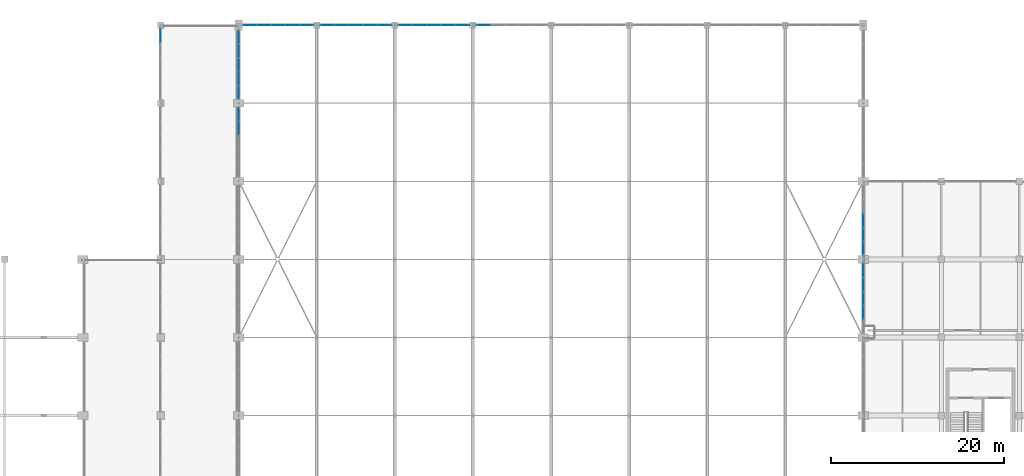
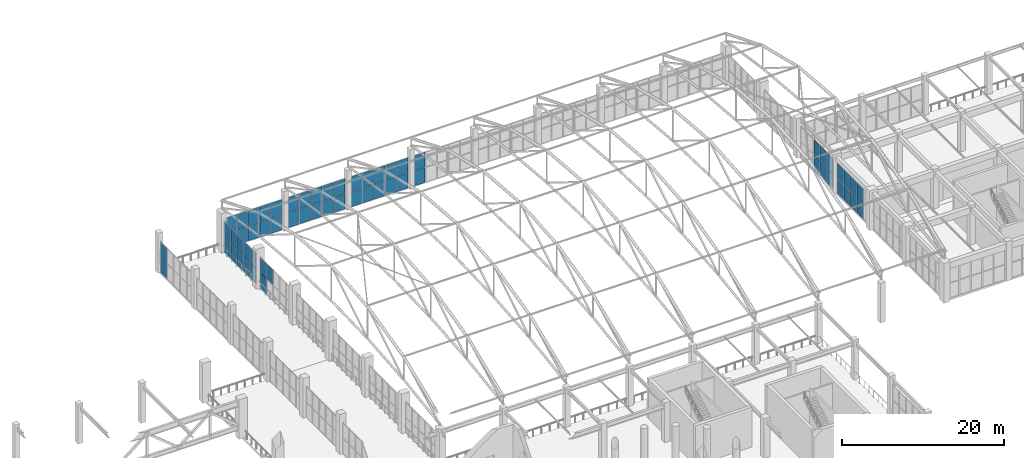
# One storey, part 179 of 223: 61 plates, 9 elements without a shape of their own.
"""IFC4 building model written with IfcOpenShell, lengths in metres."""

import ifcopenshell
import ifcopenshell.guid

model = None  # the IFC model being written
_history = None  # IfcOwnerHistory: only IFC2X3 demands one
_inside = {}  # id of a spatial element -> (the spatial element, [elements in it])
_under = {}  # id of a project, library or spatial element -> (it, [spatial elements below it])
_declared = {}  # id of a project -> (the project, [libraries it declares])
_typed = {}  # id of a type object -> (the type object, [elements of that type])
_made_of = {}  # id of a material, layer set ... -> (it, [elements and type objects made of it])


def new_model(schema):
    """Start an empty IFC model of exactly this schema.

    Asked for "IFC4X3", IfcOpenShell would pick the latest addendum, in which some entities
    have other attributes; the version numbers below select the first issue.
    IFC2X3 requires an IfcOwnerHistory on every rooted entity: one is made here for all.
    """
    global model, _history
    if schema == "IFC4X3":
        model = ifcopenshell.file(schema_version=(4, 3, 0, 0))
    else:
        model = ifcopenshell.file(schema=schema)
    _inside.clear()
    _under.clear()
    _declared.clear()
    _typed.clear()
    _made_of.clear()
    _history = None
    if model.schema == "IFC2X3":
        org = make("IfcOrganization", Name="unknown")
        user = make(
            "IfcPersonAndOrganization",
            ThePerson=make("IfcPerson", FamilyName="unknown"),
            TheOrganization=org,
        )
        app = make(
            "IfcApplication",
            ApplicationDeveloper=org,
            Version="unknown",
            ApplicationFullName="unknown",
            ApplicationIdentifier="unknown",
        )
        _history = make(
            "IfcOwnerHistory",
            OwningUser=user,
            OwningApplication=app,
            ChangeAction="ADDED",
            CreationDate=0,
        )
    return model


def make(cls, **values):
    """One entity of the class cls with the attributes given. An attribute that is None is left unset."""
    return model.create_entity(
        cls, **{name: value for name, value in values.items() if value is not None}
    )


def rooted(cls, **values):
    """An entity with a GlobalId (a new one), such as an element, a storey or a relation."""
    return make(cls, GlobalId=ifcopenshell.guid.new(), OwnerHistory=_history, **values)


def si_unit(unit_type, name, prefix=None):
    """IfcSIUnit, for example si_unit("LENGTHUNIT", "METRE", prefix="MILLI")."""
    return make("IfcSIUnit", UnitType=unit_type, Prefix=prefix, Name=name)


def assignment(units):
    """IfcUnitAssignment: the units of a project."""
    return None if units is None else make("IfcUnitAssignment", Units=units)


def point(xyz):
    """IfcCartesianPoint."""
    return None if xyz is None else make("IfcCartesianPoint", Coordinates=xyz)


def direction(xyz):
    """IfcDirection."""
    return None if xyz is None else make("IfcDirection", DirectionRatios=xyz)


def frame(location, z_axis=None, x_axis=None):
    """IfcAxis2Placement3D, a coordinate frame: its origin and axes. An axis left out is left unset."""
    return make(
        "IfcAxis2Placement3D",
        Location=point(location),
        Axis=direction(z_axis),
        RefDirection=direction(x_axis),
    )


def frame_2d(location, x_axis=None):
    """IfcAxis2Placement2D, a coordinate frame in the plane: its origin and x axis."""
    return make(
        "IfcAxis2Placement2D", Location=point(location), RefDirection=direction(x_axis)
    )


def origin():
    """The frame at (0, 0, 0) with its axes left unset."""
    return frame((0.0, 0.0, 0.0))


def origin_2d():
    """The frame at (0, 0) in the plane with its x axis left unset."""
    return frame_2d((0.0, 0.0))


def place(relative_to, where):
    """IfcLocalPlacement: puts the frame where relative to a parent placement (None: the world)."""
    return make(
        "IfcLocalPlacement", PlacementRelTo=relative_to, RelativePlacement=where
    )


def context(
    kind, dimensions, precision=None, world=None, true_north=None, identifier=None
):
    """IfcGeometricRepresentationContext, for example the 3D "Model" context."""
    return make(
        "IfcGeometricRepresentationContext",
        ContextIdentifier=identifier,
        ContextType=kind,
        CoordinateSpaceDimension=dimensions,
        Precision=precision,
        WorldCoordinateSystem=world,
        TrueNorth=true_north,
    )


def subcontext(parent, identifier, kind, view, scale=None):
    """IfcGeometricRepresentationSubContext, for example "Body" below "Model"."""
    return make(
        "IfcGeometricRepresentationSubContext",
        ContextIdentifier=identifier,
        ContextType=kind,
        ParentContext=parent,
        TargetScale=scale,
        TargetView=view,
    )


def project(units=None, contexts=None):
    """IfcProject with its units and contexts."""
    return rooted(
        "IfcProject",
        Name="project",
        RepresentationContexts=contexts,
        UnitsInContext=assignment(units),
    )


def spatial(cls, under=None, at=None, **own):
    """A site, building, storey or space (cls), placed at a placement, below another one or the project."""
    s = rooted(cls, ObjectPlacement=at, **own)
    if under is not None:
        _under.setdefault(under.id(), (under, []))[1].append(s)
    return s


def profile(cls, at=None, kind="AREA", **sizes):
    """A parametric profile (cls). Its sizes go by their IFC names, for example OverallWidth=200.0."""
    return make(cls, ProfileType=kind, Position=at, **sizes)


def rectangle(**sizes):
    """IfcRectangleProfileDef."""
    return profile("IfcRectangleProfileDef", **sizes)


def extrude(swept, where, along, depth):
    """IfcExtrudedAreaSolid: the profile swept, set in the frame where, extruded along a direction by depth."""
    return make(
        "IfcExtrudedAreaSolid",
        SweptArea=swept,
        Position=where,
        ExtrudedDirection=direction(along),
        Depth=depth,
    )


def shape(context_of_items, identifier, shape_type, items):
    """IfcShapeRepresentation: the items that make up one representation, for example the "Body"."""
    return make(
        "IfcShapeRepresentation",
        ContextOfItems=context_of_items,
        RepresentationIdentifier=identifier,
        RepresentationType=shape_type,
        Items=items,
    )


def material(Name=None, Category=None):
    """IfcMaterial."""
    return make("IfcMaterial", Name=Name, Category=Category)


def layer(
    of_material, thickness, ventilated=None, Name=None, Category=None, Priority=None
):
    """IfcMaterialLayer: one layer of a wall or slab, of a material (None: an air gap)."""
    return make(
        "IfcMaterialLayer",
        Material=of_material,
        LayerThickness=thickness,
        IsVentilated=ventilated,
        Name=Name,
        Category=Category,
        Priority=Priority,
    )


def layer_set(layers, Name=None):
    """IfcMaterialLayerSet."""
    return make("IfcMaterialLayerSet", MaterialLayers=layers, LayerSetName=Name)


def made_of(thing, what):
    """Note that an element or type object is made of a material, layer set ...; save() writes the relation."""
    if what is not None:
        _made_of.setdefault(what.id(), (what, []))[1].append(thing)
    return thing


def type_object(cls, material=None, **own):
    """A type object (cls), such as IfcWallType, which elements share."""
    return made_of(rooted(cls, **own), material)


def element(
    cls,
    number,
    at=None,
    inside=None,
    cuts=None,
    type_object=None,
    material=None,
    context=None,
    identifier="Body",
    shape_type=None,
    held_by="IfcProductDefinitionShape",
    body=None,
    shapes=None,
    **own,
):
    """One element of the class cls, such as IfcWall. Its Tag is "e" and its number.

    at: its placement. inside: the storey or other place that contains it. cuts: it is an
    opening in that element (IfcRelVoidsElement). A single representation is given by context,
    identifier, shape_type and body (its items); several are given by shapes. held_by: the class
    of the entity that holds the representations. save() writes the other relations.
    """
    e = rooted(cls, Tag="e%d" % number, ObjectPlacement=at, **own)
    if body is not None:
        shapes = [shape(context, identifier, shape_type, body)]
    if shapes is not None:
        e.Representation = make(held_by, Representations=shapes)
    if inside is not None:
        _inside.setdefault(inside.id(), (inside, []))[1].append(e)
    if cuts is not None:
        rooted(
            "IfcRelVoidsElement", RelatingBuildingElement=cuts, RelatedOpeningElement=e
        )
    if type_object is not None:
        _typed.setdefault(type_object.id(), (type_object, []))[1].append(e)
    return made_of(e, material)


def aggregate(whole, parts):
    """IfcRelAggregates: a whole, such as a stair, and the parts it consists of."""
    return rooted("IfcRelAggregates", RelatingObject=whole, RelatedObjects=parts)


def save(model, path):
    """Write the relations noted so far, then the file.

    IfcRelAggregates (storeys below a building ...), IfcRelContainedInSpatialStructure (elements
    in a storey), IfcRelDefinesByType, IfcRelAssociatesMaterial and IfcRelDeclares: one each for
    every whole, place, type object, material and project.
    """
    for whole, parts in _under.values():
        aggregate(whole, parts)
    for where, things in _inside.values():
        rooted(
            "IfcRelContainedInSpatialStructure",
            RelatedElements=things,
            RelatingStructure=where,
        )
    for kind, things in _typed.values():
        rooted("IfcRelDefinesByType", RelatedObjects=things, RelatingType=kind)
    for what, things in _made_of.values():
        rooted("IfcRelAssociatesMaterial", RelatedObjects=things, RelatingMaterial=what)
    for by, libraries in _declared.values():
        rooted("IfcRelDeclares", RelatingContext=by, RelatedDefinitions=libraries)
    model.write(path)


model = new_model("IFC4")

# Units and contexts
model_context = context("Model", 3, precision=1e-05, world=origin(), true_north=direction((0.0, 1.0)))
body_context = subcontext(model_context, "Body", "Model", "MODEL_VIEW")
ifc_project = project(units=[si_unit("LENGTHUNIT", "METRE"), si_unit("AREAUNIT", "SQUARE_METRE"), si_unit("VOLUMEUNIT", "CUBIC_METRE"), si_unit("PLANEANGLEUNIT", "RADIAN"), si_unit("MASSUNIT", "GRAM", prefix="KILO")], contexts=[model_context])

# Site, building, storey
site_placement = place(None, origin())
site = spatial("IfcSite", under=ifc_project, at=site_placement, CompositionType="ELEMENT")
building_placement = place(site_placement, origin())
building = spatial("IfcBuilding", under=site, at=building_placement, Name="Dornveld Trade and Exhibition Forum", CompositionType="ELEMENT")
storey_placement = place(building_placement, frame((0.0, 0.0, 6.0)))
storey = spatial("IfcBuildingStorey", under=building, at=storey_placement, Name="L01", CompositionType="ELEMENT", Elevation=6.0)

# Curtain wall, plates
ifc_material_1 = material(Name="Dark-bronze anodised aluminium and low-E glass", Category="aluminium")
ifc_layer_1 = layer(ifc_material_1, 0.196044921875)
ifc_layer_set_1 = layer_set([ifc_layer_1], Name="Dark-bronze anodised aluminium and low-E glass")
curtain_wall_type_1 = type_object("IfcCurtainWallType", Name="CW-SYS-18", PredefinedType="USERDEFINED", material=ifc_layer_set_1)
curtain_wall_1_placement = place(storey_placement, origin())
curtain_wall_1 = element("IfcCurtainWall", 1, at=curtain_wall_1_placement, inside=storey, type_object=curtain_wall_type_1, Name="L01 unitised curtain wall 18", ObjectType="UNITISED_CURTAIN_WALL", PredefinedType="USERDEFINED")
ifc_material_2 = material(Name="Double-glazed low-E solar control glass", Category="glass")
ifc_layer_2 = layer(ifc_material_2, 0.028076171875)
ifc_layer_set_2 = layer_set([ifc_layer_2], Name="Double-glazed low-E solar control glass")
plate_type_1 = type_object("IfcPlateType", Name="CW-PNL-02", PredefinedType="CURTAIN_PANEL", material=ifc_layer_set_2)
plate_1_placement = place(storey_placement, frame((99.0, 160.59326171875, 0.05615234375), z_axis=(0.0, 0.0, 1.0), x_axis=(0.0, -1.0, 0.0)))
plate_1 = element("IfcPlate", 2, at=plate_1_placement, type_object=plate_type_1, Name="CW-18 panel 1.1", PredefinedType="CURTAIN_PANEL", context=body_context, shape_type="SweptSolid", body=[
    extrude(rectangle(XDim=1.501708984375, YDim=0.028076171875, at=origin_2d()), origin(), (0.0, 0.0, 1.0), 2.261962890625),
])
plate_2_placement = place(storey_placement, frame((99.0, 160.59326171875, 2.3779296875), z_axis=(0.0, 0.0, 1.0), x_axis=(0.0, -1.0, 0.0)))
plate_2 = element("IfcPlate", 3, at=plate_2_placement, type_object=plate_type_1, Name="CW-18 panel 1.2", PredefinedType="CURTAIN_PANEL", context=body_context, shape_type="SweptSolid", body=[
    extrude(rectangle(XDim=1.501708984375, YDim=0.028076171875, at=origin_2d()), origin(), (0.0, 0.0, 1.0), 2.261962890625),
])
plate_3_placement = place(storey_placement, frame((99.0, 159.0166015625, 0.05615234375), z_axis=(0.0, 0.0, 1.0), x_axis=(0.0, -1.0, 0.0)))
plate_3 = element("IfcPlate", 4, at=plate_3_placement, type_object=plate_type_1, Name="CW-18 panel 2.1", PredefinedType="CURTAIN_PANEL", context=body_context, shape_type="SweptSolid", body=[
    extrude(rectangle(XDim=1.531494140625, YDim=0.028076171875, at=origin_2d()), origin(), (0.0, 0.0, 1.0), 2.261962890625),
])
plate_4_placement = place(storey_placement, frame((99.0, 159.0166015625, 2.3779296875), z_axis=(0.0, 0.0, 1.0), x_axis=(0.0, -1.0, 0.0)))
plate_4 = element("IfcPlate", 5, at=plate_4_placement, type_object=plate_type_1, Name="CW-18 panel 2.2", PredefinedType="CURTAIN_PANEL", context=body_context, shape_type="SweptSolid", body=[
    extrude(rectangle(XDim=1.531494140625, YDim=0.028076171875, at=origin_2d()), origin(), (0.0, 0.0, 1.0), 2.261962890625),
])
plate_5_placement = place(storey_placement, frame((99.0, 157.425048828125, 0.05615234375), z_axis=(0.0, 0.0, 1.0), x_axis=(0.0, -1.0, 0.0)))
plate_5 = element("IfcPlate", 6, at=plate_5_placement, type_object=plate_type_1, Name="CW-18 panel 3.1", PredefinedType="CURTAIN_PANEL", context=body_context, shape_type="SweptSolid", body=[
    extrude(rectangle(XDim=1.531494140625, YDim=0.028076171875, at=origin_2d()), origin(), (0.0, 0.0, 1.0), 2.261962890625),
])
plate_6_placement = place(storey_placement, frame((99.0, 157.425048828125, 2.3779296875), z_axis=(0.0, 0.0, 1.0), x_axis=(0.0, -1.0, 0.0)))
plate_6 = element("IfcPlate", 7, at=plate_6_placement, type_object=plate_type_1, Name="CW-18 panel 3.2", PredefinedType="CURTAIN_PANEL", context=body_context, shape_type="SweptSolid", body=[
    extrude(rectangle(XDim=1.531494140625, YDim=0.028076171875, at=origin_2d()), origin(), (0.0, 0.0, 1.0), 2.261962890625),
])
plate_7_placement = place(storey_placement, frame((99.0, 155.83349609375, 0.05615234375), z_axis=(0.0, 0.0, 1.0), x_axis=(0.0, -1.0, 0.0)))
plate_7 = element("IfcPlate", 8, at=plate_7_placement, type_object=plate_type_1, Name="CW-18 panel 4.1", PredefinedType="CURTAIN_PANEL", context=body_context, shape_type="SweptSolid", body=[
    extrude(rectangle(XDim=1.531494140625, YDim=0.028076171875, at=origin_2d()), origin(), (0.0, 0.0, 1.0), 2.261962890625),
])
plate_8_placement = place(storey_placement, frame((99.0, 155.83349609375, 2.3779296875), z_axis=(0.0, 0.0, 1.0), x_axis=(0.0, -1.0, 0.0)))
plate_8 = element("IfcPlate", 9, at=plate_8_placement, type_object=plate_type_1, Name="CW-18 panel 4.2", PredefinedType="CURTAIN_PANEL", context=body_context, shape_type="SweptSolid", body=[
    extrude(rectangle(XDim=1.531494140625, YDim=0.028076171875, at=origin_2d()), origin(), (0.0, 0.0, 1.0), 2.261962890625),
])
plate_9_placement = place(storey_placement, frame((99.0, 154.2568359375, 0.05615234375), z_axis=(0.0, 0.0, 1.0), x_axis=(0.0, -1.0, 0.0)))
plate_9 = element("IfcPlate", 10, at=plate_9_placement, type_object=plate_type_1, Name="CW-18 panel 5.1", PredefinedType="CURTAIN_PANEL", context=body_context, shape_type="SweptSolid", body=[
    extrude(rectangle(XDim=1.501708984375, YDim=0.028076171875, at=origin_2d()), origin(), (0.0, 0.0, 1.0), 2.261962890625),
])
plate_10_placement = place(storey_placement, frame((99.0, 154.2568359375, 2.3779296875), z_axis=(0.0, 0.0, 1.0), x_axis=(0.0, -1.0, 0.0)))
plate_10 = element("IfcPlate", 11, at=plate_10_placement, type_object=plate_type_1, Name="CW-18 panel 5.2", PredefinedType="CURTAIN_PANEL", context=body_context, shape_type="SweptSolid", body=[
    extrude(rectangle(XDim=1.501708984375, YDim=0.028076171875, at=origin_2d()), origin(), (0.0, 0.0, 1.0), 2.261962890625),
])
aggregate(curtain_wall_1, [plate_1, plate_2, plate_3, plate_4, plate_5, plate_6, plate_7, plate_8, plate_9, plate_10])

ifc_material_3 = material(Name="Dark-bronze anodised aluminium and low-E glass", Category="aluminium")
ifc_layer_3 = layer(ifc_material_3, 0.177978515625)
ifc_layer_set_3 = layer_set([ifc_layer_3], Name="Dark-bronze anodised aluminium and low-E glass")
curtain_wall_type_2 = type_object("IfcCurtainWallType", Name="CW-SYS-12", PredefinedType="USERDEFINED", material=ifc_layer_set_3)
curtain_wall_2_placement = place(storey_placement, origin())
curtain_wall_2 = element("IfcCurtainWall", 12, at=curtain_wall_2_placement, inside=storey, type_object=curtain_wall_type_2, Name="L01 unitised curtain wall 138", ObjectType="UNITISED_CURTAIN_WALL", PredefinedType="USERDEFINED")
plate_11_placement = place(storey_placement, frame((106.795654296875, 162.0, 0.05615234375), z_axis=(0.0, 0.0, 1.0), x_axis=(-1.0, 0.0, 0.0)))
plate_11 = element("IfcPlate", 13, at=plate_11_placement, type_object=plate_type_1, Name="CW-12 panel 1.1", PredefinedType="CURTAIN_PANEL", context=body_context, shape_type="SweptSolid", body=[
    extrude(rectangle(XDim=1.546630859375, YDim=0.028076171875, at=origin_2d()), origin(), (0.0, 0.0, 1.0), 2.261962890625),
])
plate_12_placement = place(storey_placement, frame((106.795654296875, 162.0, 2.3779296875), z_axis=(0.0, 0.0, 1.0), x_axis=(-1.0, 0.0, 0.0)))
plate_12 = element("IfcPlate", 14, at=plate_12_placement, type_object=plate_type_1, Name="CW-12 panel 1.2", PredefinedType="CURTAIN_PANEL", context=body_context, shape_type="SweptSolid", body=[
    extrude(rectangle(XDim=1.546630859375, YDim=0.028076171875, at=origin_2d()), origin(), (0.0, 0.0, 1.0), 2.261962890625),
])
plate_13_placement = place(storey_placement, frame((105.174072265625, 162.0, 0.05615234375), z_axis=(0.0, 0.0, 1.0), x_axis=(-1.0, 0.0, 0.0)))
plate_13 = element("IfcPlate", 15, at=plate_13_placement, type_object=plate_type_1, Name="CW-12 panel 2.1", PredefinedType="CURTAIN_PANEL", context=body_context, shape_type="SweptSolid", body=[
    extrude(rectangle(XDim=1.57666015625, YDim=0.028076171875, at=origin_2d()), origin(), (0.0, 0.0, 1.0), 2.261962890625),
])
plate_14_placement = place(storey_placement, frame((105.174072265625, 162.0, 2.3779296875), z_axis=(0.0, 0.0, 1.0), x_axis=(-1.0, 0.0, 0.0)))
plate_14 = element("IfcPlate", 16, at=plate_14_placement, type_object=plate_type_1, Name="CW-12 panel 2.2", PredefinedType="CURTAIN_PANEL", context=body_context, shape_type="SweptSolid", body=[
    extrude(rectangle(XDim=1.57666015625, YDim=0.028076171875, at=origin_2d()), origin(), (0.0, 0.0, 1.0), 2.261962890625),
])
plate_15_placement = place(storey_placement, frame((103.53759765625, 162.0, 0.05615234375), z_axis=(0.0, 0.0, 1.0), x_axis=(-1.0, 0.0, 0.0)))
plate_15 = element("IfcPlate", 17, at=plate_15_placement, type_object=plate_type_1, Name="CW-12 panel 3.1", PredefinedType="CURTAIN_PANEL", context=body_context, shape_type="SweptSolid", body=[
    extrude(rectangle(XDim=1.57666015625, YDim=0.028076171875, at=origin_2d()), origin(), (0.0, 0.0, 1.0), 2.261962890625),
])
plate_16_placement = place(storey_placement, frame((103.53759765625, 162.0, 2.3779296875), z_axis=(0.0, 0.0, 1.0), x_axis=(-1.0, 0.0, 0.0)))
plate_16 = element("IfcPlate", 18, at=plate_16_placement, type_object=plate_type_1, Name="CW-12 panel 3.2", PredefinedType="CURTAIN_PANEL", context=body_context, shape_type="SweptSolid", body=[
    extrude(rectangle(XDim=1.57666015625, YDim=0.028076171875, at=origin_2d()), origin(), (0.0, 0.0, 1.0), 2.261962890625),
])
plate_17_placement = place(storey_placement, frame((101.90087890625, 162.0, 0.05615234375), z_axis=(0.0, 0.0, 1.0), x_axis=(-1.0, 0.0, 0.0)))
plate_17 = element("IfcPlate", 19, at=plate_17_placement, type_object=plate_type_1, Name="CW-12 panel 4.1", PredefinedType="CURTAIN_PANEL", context=body_context, shape_type="SweptSolid", body=[
    extrude(rectangle(XDim=1.57666015625, YDim=0.028076171875, at=origin_2d()), origin(), (0.0, 0.0, 1.0), 2.261962890625),
])
plate_18_placement = place(storey_placement, frame((101.90087890625, 162.0, 2.3779296875), z_axis=(0.0, 0.0, 1.0), x_axis=(-1.0, 0.0, 0.0)))
plate_18 = element("IfcPlate", 20, at=plate_18_placement, type_object=plate_type_1, Name="CW-12 panel 4.2", PredefinedType="CURTAIN_PANEL", context=body_context, shape_type="SweptSolid", body=[
    extrude(rectangle(XDim=1.57666015625, YDim=0.028076171875, at=origin_2d()), origin(), (0.0, 0.0, 1.0), 2.261962890625),
])
plate_19_placement = place(storey_placement, frame((100.279296875, 162.0, 0.05615234375), z_axis=(0.0, 0.0, 1.0), x_axis=(-1.0, 0.0, 0.0)))
plate_19 = element("IfcPlate", 21, at=plate_19_placement, type_object=plate_type_1, Name="CW-12 panel 5.1", PredefinedType="CURTAIN_PANEL", context=body_context, shape_type="SweptSolid", body=[
    extrude(rectangle(XDim=1.546630859375, YDim=0.028076171875, at=origin_2d()), origin(), (0.0, 0.0, 1.0), 2.261962890625),
])
plate_20_placement = place(storey_placement, frame((100.279296875, 162.0, 2.3779296875), z_axis=(0.0, 0.0, 1.0), x_axis=(-1.0, 0.0, 0.0)))
plate_20 = element("IfcPlate", 22, at=plate_20_placement, type_object=plate_type_1, Name="CW-12 panel 5.2", PredefinedType="CURTAIN_PANEL", context=body_context, shape_type="SweptSolid", body=[
    extrude(rectangle(XDim=1.546630859375, YDim=0.028076171875, at=origin_2d()), origin(), (0.0, 0.0, 1.0), 2.261962890625),
])
aggregate(curtain_wall_2, [plate_11, plate_12, plate_13, plate_14, plate_15, plate_16, plate_17, plate_18, plate_19, plate_20])

ifc_material_4 = material(Name="Dark-bronze anodised aluminium and low-E glass", Category="aluminium")
ifc_layer_4 = layer(ifc_material_4, 0.175048828125)
ifc_layer_set_4 = layer_set([ifc_layer_4], Name="Dark-bronze anodised aluminium and low-E glass")
curtain_wall_type_3 = type_object("IfcCurtainWallType", Name="CW-SYS-11", PredefinedType="USERDEFINED", material=ifc_layer_set_4)
curtain_wall_3_placement = place(storey_placement, origin())
curtain_wall_3 = element("IfcCurtainWall", 23, at=curtain_wall_3_placement, inside=storey, type_object=curtain_wall_type_3, Name="L01 unitised curtain wall 11", ObjectType="UNITISED_CURTAIN_WALL", PredefinedType="USERDEFINED")
ifc_material_5 = material(Name="Double-glazed low-E solar control glass", Category="glass")
ifc_layer_5 = layer(ifc_material_5, 0.030029296875)
ifc_layer_set_5 = layer_set([ifc_layer_5], Name="Double-glazed low-E solar control glass")
plate_type_2 = type_object("IfcPlateType", Name="CW-PNL-03", PredefinedType="CURTAIN_PANEL", material=ifc_layer_set_5)
plate_21_placement = place(storey_placement, frame((171.0, 128.87841796875, 0.05615234375), z_axis=(0.0, 0.0, 1.0), x_axis=(0.0, 1.0, 0.0)))
plate_21 = element("IfcPlate", 24, at=plate_21_placement, type_object=plate_type_2, Name="CW-11 panel 2.1", PredefinedType="CURTAIN_PANEL", context=body_context, shape_type="SweptSolid", body=[
    extrude(rectangle(XDim=1.5615234375, YDim=0.030029296875, at=origin_2d()), origin(), (0.0, 0.0, 1.0), 2.261962890625),
])
plate_22_placement = place(storey_placement, frame((171.0, 128.87841796875, 2.3779296875), z_axis=(0.0, 0.0, 1.0), x_axis=(0.0, 1.0, 0.0)))
plate_22 = element("IfcPlate", 25, at=plate_22_placement, type_object=plate_type_2, Name="CW-11 panel 2.2", PredefinedType="CURTAIN_PANEL", context=body_context, shape_type="SweptSolid", body=[
    extrude(rectangle(XDim=1.5615234375, YDim=0.030029296875, at=origin_2d()), origin(), (0.0, 0.0, 1.0), 2.261962890625),
])
plate_23_placement = place(storey_placement, frame((171.0, 130.5, 0.05615234375), z_axis=(0.0, 0.0, 1.0), x_axis=(0.0, 1.0, 0.0)))
plate_23 = element("IfcPlate", 26, at=plate_23_placement, type_object=plate_type_2, Name="CW-11 panel 3.1", PredefinedType="CURTAIN_PANEL", context=body_context, shape_type="SweptSolid", body=[
    extrude(rectangle(XDim=1.5615234375, YDim=0.030029296875, at=origin_2d()), origin(), (0.0, 0.0, 1.0), 2.261962890625),
])
plate_24_placement = place(storey_placement, frame((171.0, 130.5, 2.3779296875), z_axis=(0.0, 0.0, 1.0), x_axis=(0.0, 1.0, 0.0)))
plate_24 = element("IfcPlate", 27, at=plate_24_placement, type_object=plate_type_2, Name="CW-11 panel 3.2", PredefinedType="CURTAIN_PANEL", context=body_context, shape_type="SweptSolid", body=[
    extrude(rectangle(XDim=1.5615234375, YDim=0.030029296875, at=origin_2d()), origin(), (0.0, 0.0, 1.0), 2.261962890625),
])
plate_25_placement = place(storey_placement, frame((171.0, 132.12158203125, 0.05615234375), z_axis=(0.0, 0.0, 1.0), x_axis=(0.0, 1.0, 0.0)))
plate_25 = element("IfcPlate", 28, at=plate_25_placement, type_object=plate_type_2, Name="CW-11 panel 4.1", PredefinedType="CURTAIN_PANEL", context=body_context, shape_type="SweptSolid", body=[
    extrude(rectangle(XDim=1.5615234375, YDim=0.030029296875, at=origin_2d()), origin(), (0.0, 0.0, 1.0), 2.261962890625),
])
plate_26_placement = place(storey_placement, frame((171.0, 132.12158203125, 2.3779296875), z_axis=(0.0, 0.0, 1.0), x_axis=(0.0, 1.0, 0.0)))
plate_26 = element("IfcPlate", 29, at=plate_26_placement, type_object=plate_type_2, Name="CW-11 panel 4.2", PredefinedType="CURTAIN_PANEL", context=body_context, shape_type="SweptSolid", body=[
    extrude(rectangle(XDim=1.5615234375, YDim=0.030029296875, at=origin_2d()), origin(), (0.0, 0.0, 1.0), 2.261962890625),
])
plate_27_placement = place(storey_placement, frame((171.0, 133.728271484375, 0.05615234375), z_axis=(0.0, 0.0, 1.0), x_axis=(0.0, 1.0, 0.0)))
plate_27 = element("IfcPlate", 30, at=plate_27_placement, type_object=plate_type_2, Name="CW-11 panel 5.1", PredefinedType="CURTAIN_PANEL", context=body_context, shape_type="SweptSolid", body=[
    extrude(rectangle(XDim=1.531494140625, YDim=0.030029296875, at=origin_2d()), origin(), (0.0, 0.0, 1.0), 2.261962890625),
])
plate_28_placement = place(storey_placement, frame((171.0, 133.728271484375, 2.3779296875), z_axis=(0.0, 0.0, 1.0), x_axis=(0.0, 1.0, 0.0)))
plate_28 = element("IfcPlate", 31, at=plate_28_placement, type_object=plate_type_2, Name="CW-11 panel 5.2", PredefinedType="CURTAIN_PANEL", context=body_context, shape_type="SweptSolid", body=[
    extrude(rectangle(XDim=1.531494140625, YDim=0.030029296875, at=origin_2d()), origin(), (0.0, 0.0, 1.0), 2.261962890625),
])
aggregate(curtain_wall_3, [plate_21, plate_22, plate_23, plate_24, plate_25, plate_26, plate_27, plate_28])

ifc_material_6 = material(Name="Dark-bronze anodised aluminium and low-E glass", Category="aluminium")
ifc_layer_6 = layer(ifc_material_6, 0.180908203125)
ifc_layer_set_6 = layer_set([ifc_layer_6], Name="Dark-bronze anodised aluminium and low-E glass")
curtain_wall_type_4 = type_object("IfcCurtainWallType", Name="CW-SYS-13", PredefinedType="USERDEFINED", material=ifc_layer_set_6)
curtain_wall_4_placement = place(storey_placement, origin())
curtain_wall_4 = element("IfcCurtainWall", 32, at=curtain_wall_4_placement, inside=storey, type_object=curtain_wall_type_4, Name="L01 unitised curtain wall 139", ObjectType="UNITISED_CURTAIN_WALL", PredefinedType="USERDEFINED")
plate_29_placement = place(storey_placement, frame((115.7880859375, 162.0, 0.05615234375), z_axis=(0.0, 0.0, 1.0), x_axis=(-1.0, 0.0, 0.0)))
plate_29 = element("IfcPlate", 33, at=plate_29_placement, type_object=plate_type_2, Name="CW-13 panel 1.1", PredefinedType="CURTAIN_PANEL", context=body_context, shape_type="SweptSolid", body=[
    extrude(rectangle(XDim=1.5615234375, YDim=0.030029296875, at=origin_2d()), origin(), (0.0, 0.0, 1.0), 2.261962890625),
])
plate_30_placement = place(storey_placement, frame((115.7880859375, 162.0, 2.3779296875), z_axis=(0.0, 0.0, 1.0), x_axis=(-1.0, 0.0, 0.0)))
plate_30 = element("IfcPlate", 34, at=plate_30_placement, type_object=plate_type_2, Name="CW-13 panel 1.2", PredefinedType="CURTAIN_PANEL", context=body_context, shape_type="SweptSolid", body=[
    extrude(rectangle(XDim=1.5615234375, YDim=0.030029296875, at=origin_2d()), origin(), (0.0, 0.0, 1.0), 2.261962890625),
])
plate_31_placement = place(storey_placement, frame((114.151611328125, 162.0, 0.05615234375), z_axis=(0.0, 0.0, 1.0), x_axis=(-1.0, 0.0, 0.0)))
plate_31 = element("IfcPlate", 35, at=plate_31_placement, type_object=plate_type_2, Name="CW-13 panel 2.1", PredefinedType="CURTAIN_PANEL", context=body_context, shape_type="SweptSolid", body=[
    extrude(rectangle(XDim=1.591552734375, YDim=0.030029296875, at=origin_2d()), origin(), (0.0, 0.0, 1.0), 2.261962890625),
])
plate_32_placement = place(storey_placement, frame((114.151611328125, 162.0, 2.3779296875), z_axis=(0.0, 0.0, 1.0), x_axis=(-1.0, 0.0, 0.0)))
plate_32 = element("IfcPlate", 36, at=plate_32_placement, type_object=plate_type_2, Name="CW-13 panel 2.2", PredefinedType="CURTAIN_PANEL", context=body_context, shape_type="SweptSolid", body=[
    extrude(rectangle(XDim=1.591552734375, YDim=0.030029296875, at=origin_2d()), origin(), (0.0, 0.0, 1.0), 2.261962890625),
])
plate_33_placement = place(storey_placement, frame((112.5, 162.0, 0.05615234375), z_axis=(0.0, 0.0, 1.0), x_axis=(-1.0, 0.0, 0.0)))
plate_33 = element("IfcPlate", 37, at=plate_33_placement, type_object=plate_type_2, Name="CW-13 panel 3.1", PredefinedType="CURTAIN_PANEL", context=body_context, shape_type="SweptSolid", body=[
    extrude(rectangle(XDim=1.591552734375, YDim=0.030029296875, at=origin_2d()), origin(), (0.0, 0.0, 1.0), 2.261962890625),
])
plate_34_placement = place(storey_placement, frame((112.5, 162.0, 2.3779296875), z_axis=(0.0, 0.0, 1.0), x_axis=(-1.0, 0.0, 0.0)))
plate_34 = element("IfcPlate", 38, at=plate_34_placement, type_object=plate_type_2, Name="CW-13 panel 3.2", PredefinedType="CURTAIN_PANEL", context=body_context, shape_type="SweptSolid", body=[
    extrude(rectangle(XDim=1.591552734375, YDim=0.030029296875, at=origin_2d()), origin(), (0.0, 0.0, 1.0), 2.261962890625),
])
plate_35_placement = place(storey_placement, frame((110.848388671875, 162.0, 0.05615234375), z_axis=(0.0, 0.0, 1.0), x_axis=(-1.0, 0.0, 0.0)))
plate_35 = element("IfcPlate", 39, at=plate_35_placement, type_object=plate_type_2, Name="CW-13 panel 4.1", PredefinedType="CURTAIN_PANEL", context=body_context, shape_type="SweptSolid", body=[
    extrude(rectangle(XDim=1.591552734375, YDim=0.030029296875, at=origin_2d()), origin(), (0.0, 0.0, 1.0), 2.261962890625),
])
plate_36_placement = place(storey_placement, frame((110.848388671875, 162.0, 2.3779296875), z_axis=(0.0, 0.0, 1.0), x_axis=(-1.0, 0.0, 0.0)))
plate_36 = element("IfcPlate", 40, at=plate_36_placement, type_object=plate_type_2, Name="CW-13 panel 4.2", PredefinedType="CURTAIN_PANEL", context=body_context, shape_type="SweptSolid", body=[
    extrude(rectangle(XDim=1.591552734375, YDim=0.030029296875, at=origin_2d()), origin(), (0.0, 0.0, 1.0), 2.261962890625),
])
plate_37_placement = place(storey_placement, frame((109.2119140625, 162.0, 0.05615234375), z_axis=(0.0, 0.0, 1.0), x_axis=(-1.0, 0.0, 0.0)))
plate_37 = element("IfcPlate", 41, at=plate_37_placement, type_object=plate_type_2, Name="CW-13 panel 5.1", PredefinedType="CURTAIN_PANEL", context=body_context, shape_type="SweptSolid", body=[
    extrude(rectangle(XDim=1.5615234375, YDim=0.030029296875, at=origin_2d()), origin(), (0.0, 0.0, 1.0), 2.261962890625),
])
plate_38_placement = place(storey_placement, frame((109.2119140625, 162.0, 2.3779296875), z_axis=(0.0, 0.0, 1.0), x_axis=(-1.0, 0.0, 0.0)))
plate_38 = element("IfcPlate", 42, at=plate_38_placement, type_object=plate_type_2, Name="CW-13 panel 5.2", PredefinedType="CURTAIN_PANEL", context=body_context, shape_type="SweptSolid", body=[
    extrude(rectangle(XDim=1.5615234375, YDim=0.030029296875, at=origin_2d()), origin(), (0.0, 0.0, 1.0), 2.261962890625),
])
aggregate(curtain_wall_4, [plate_29, plate_30, plate_31, plate_32, plate_33, plate_34, plate_35, plate_36, plate_37, plate_38])

ifc_material_7 = material(Name="Dark-bronze anodised aluminium and low-E glass", Category="aluminium")
ifc_layer_7 = layer(ifc_material_7, 0.18408203125)
ifc_layer_set_7 = layer_set([ifc_layer_7], Name="Dark-bronze anodised aluminium and low-E glass")
curtain_wall_type_5 = type_object("IfcCurtainWallType", Name="CW-SYS-14", PredefinedType="USERDEFINED", material=ifc_layer_set_7)
curtain_wall_5_placement = place(storey_placement, origin())
curtain_wall_5 = element("IfcCurtainWall", 43, at=curtain_wall_5_placement, inside=storey, type_object=curtain_wall_type_5, Name="L01 unitised curtain wall 140", ObjectType="UNITISED_CURTAIN_WALL", PredefinedType="USERDEFINED")
ifc_material_8 = material(Name="Double-glazed low-E solar control glass", Category="glass")
ifc_layer_8 = layer(ifc_material_8, 0.031982421875)
ifc_layer_set_8 = layer_set([ifc_layer_8], Name="Double-glazed low-E solar control glass")
plate_type_3 = type_object("IfcPlateType", Name="CW-PNL-04", PredefinedType="CURTAIN_PANEL", material=ifc_layer_set_8)
plate_39_placement = place(storey_placement, frame((124.7880859375, 162.0, 0.05615234375), z_axis=(0.0, 0.0, 1.0), x_axis=(-1.0, 0.0, 0.0)))
plate_39 = element("IfcPlate", 44, at=plate_39_placement, type_object=plate_type_3, Name="CW-14 panel 1.1", PredefinedType="CURTAIN_PANEL", context=body_context, shape_type="SweptSolid", body=[
    extrude(rectangle(XDim=1.5615234375, YDim=0.031982421875, at=origin_2d()), origin(), (0.0, 0.0, 1.0), 2.261962890625),
])
plate_40_placement = place(storey_placement, frame((124.7880859375, 162.0, 2.3779296875), z_axis=(0.0, 0.0, 1.0), x_axis=(-1.0, 0.0, 0.0)))
plate_40 = element("IfcPlate", 45, at=plate_40_placement, type_object=plate_type_3, Name="CW-14 panel 1.2", PredefinedType="CURTAIN_PANEL", context=body_context, shape_type="SweptSolid", body=[
    extrude(rectangle(XDim=1.5615234375, YDim=0.031982421875, at=origin_2d()), origin(), (0.0, 0.0, 1.0), 2.261962890625),
])
plate_41_placement = place(storey_placement, frame((123.151611328125, 162.0, 0.05615234375), z_axis=(0.0, 0.0, 1.0), x_axis=(-1.0, 0.0, 0.0)))
plate_41 = element("IfcPlate", 46, at=plate_41_placement, type_object=plate_type_3, Name="CW-14 panel 2.1", PredefinedType="CURTAIN_PANEL", context=body_context, shape_type="SweptSolid", body=[
    extrude(rectangle(XDim=1.591552734375, YDim=0.031982421875, at=origin_2d()), origin(), (0.0, 0.0, 1.0), 2.261962890625),
])
plate_42_placement = place(storey_placement, frame((123.151611328125, 162.0, 2.3779296875), z_axis=(0.0, 0.0, 1.0), x_axis=(-1.0, 0.0, 0.0)))
plate_42 = element("IfcPlate", 47, at=plate_42_placement, type_object=plate_type_3, Name="CW-14 panel 2.2", PredefinedType="CURTAIN_PANEL", context=body_context, shape_type="SweptSolid", body=[
    extrude(rectangle(XDim=1.591552734375, YDim=0.031982421875, at=origin_2d()), origin(), (0.0, 0.0, 1.0), 2.261962890625),
])
plate_43_placement = place(storey_placement, frame((121.5, 162.0, 0.05615234375), z_axis=(0.0, 0.0, 1.0), x_axis=(-1.0, 0.0, 0.0)))
plate_43 = element("IfcPlate", 48, at=plate_43_placement, type_object=plate_type_3, Name="CW-14 panel 3.1", PredefinedType="CURTAIN_PANEL", context=body_context, shape_type="SweptSolid", body=[
    extrude(rectangle(XDim=1.591552734375, YDim=0.031982421875, at=origin_2d()), origin(), (0.0, 0.0, 1.0), 2.261962890625),
])
plate_44_placement = place(storey_placement, frame((121.5, 162.0, 2.3779296875), z_axis=(0.0, 0.0, 1.0), x_axis=(-1.0, 0.0, 0.0)))
plate_44 = element("IfcPlate", 49, at=plate_44_placement, type_object=plate_type_3, Name="CW-14 panel 3.2", PredefinedType="CURTAIN_PANEL", context=body_context, shape_type="SweptSolid", body=[
    extrude(rectangle(XDim=1.591552734375, YDim=0.031982421875, at=origin_2d()), origin(), (0.0, 0.0, 1.0), 2.261962890625),
])
plate_45_placement = place(storey_placement, frame((119.848388671875, 162.0, 0.05615234375), z_axis=(0.0, 0.0, 1.0), x_axis=(-1.0, 0.0, 0.0)))
plate_45 = element("IfcPlate", 50, at=plate_45_placement, type_object=plate_type_3, Name="CW-14 panel 4.1", PredefinedType="CURTAIN_PANEL", context=body_context, shape_type="SweptSolid", body=[
    extrude(rectangle(XDim=1.591552734375, YDim=0.031982421875, at=origin_2d()), origin(), (0.0, 0.0, 1.0), 2.261962890625),
])
plate_46_placement = place(storey_placement, frame((119.848388671875, 162.0, 2.3779296875), z_axis=(0.0, 0.0, 1.0), x_axis=(-1.0, 0.0, 0.0)))
plate_46 = element("IfcPlate", 51, at=plate_46_placement, type_object=plate_type_3, Name="CW-14 panel 4.2", PredefinedType="CURTAIN_PANEL", context=body_context, shape_type="SweptSolid", body=[
    extrude(rectangle(XDim=1.591552734375, YDim=0.031982421875, at=origin_2d()), origin(), (0.0, 0.0, 1.0), 2.261962890625),
])
plate_47_placement = place(storey_placement, frame((118.2119140625, 162.0, 0.05615234375), z_axis=(0.0, 0.0, 1.0), x_axis=(-1.0, 0.0, 0.0)))
plate_47 = element("IfcPlate", 52, at=plate_47_placement, type_object=plate_type_3, Name="CW-14 panel 5.1", PredefinedType="CURTAIN_PANEL", context=body_context, shape_type="SweptSolid", body=[
    extrude(rectangle(XDim=1.5615234375, YDim=0.031982421875, at=origin_2d()), origin(), (0.0, 0.0, 1.0), 2.261962890625),
])
plate_48_placement = place(storey_placement, frame((118.2119140625, 162.0, 2.3779296875), z_axis=(0.0, 0.0, 1.0), x_axis=(-1.0, 0.0, 0.0)))
plate_48 = element("IfcPlate", 53, at=plate_48_placement, type_object=plate_type_3, Name="CW-14 panel 5.2", PredefinedType="CURTAIN_PANEL", context=body_context, shape_type="SweptSolid", body=[
    extrude(rectangle(XDim=1.5615234375, YDim=0.031982421875, at=origin_2d()), origin(), (0.0, 0.0, 1.0), 2.261962890625),
])
aggregate(curtain_wall_5, [plate_39, plate_40, plate_41, plate_42, plate_43, plate_44, plate_45, plate_46, plate_47, plate_48])

curtain_wall_6_placement = place(storey_placement, origin())
curtain_wall_6 = element("IfcCurtainWall", 54, at=curtain_wall_6_placement, inside=storey, type_object=curtain_wall_type_4, Name="L01 unitised curtain wall 13", ObjectType="UNITISED_CURTAIN_WALL", PredefinedType="USERDEFINED")
ifc_material_9 = material(Name="Double-glazed low-E solar control glass", Category="glass")
ifc_layer_9 = layer(ifc_material_9, 0.033935546875)
ifc_layer_set_9 = layer_set([ifc_layer_9], Name="Double-glazed low-E solar control glass")
plate_type_4 = type_object("IfcPlateType", Name="CW-PNL-05", PredefinedType="CURTAIN_PANEL", material=ifc_layer_set_9)
plate_49_placement = place(storey_placement, frame((171.0, 136.271728515625, 0.05615234375), z_axis=(0.0, 0.0, 1.0), x_axis=(0.0, 1.0, 0.0)))
plate_49 = element("IfcPlate", 55, at=plate_49_placement, type_object=plate_type_4, Name="CW-13 panel 1.1", PredefinedType="CURTAIN_PANEL", context=body_context, shape_type="SweptSolid", body=[
    extrude(rectangle(XDim=1.531494140625, YDim=0.033935546875, at=origin_2d()), origin(), (0.0, 0.0, 1.0), 2.261962890625),
])
plate_50_placement = place(storey_placement, frame((171.0, 136.271728515625, 2.3779296875), z_axis=(0.0, 0.0, 1.0), x_axis=(0.0, 1.0, 0.0)))
plate_50 = element("IfcPlate", 56, at=plate_50_placement, type_object=plate_type_4, Name="CW-13 panel 1.2", PredefinedType="CURTAIN_PANEL", context=body_context, shape_type="SweptSolid", body=[
    extrude(rectangle(XDim=1.531494140625, YDim=0.033935546875, at=origin_2d()), origin(), (0.0, 0.0, 1.0), 2.261962890625),
])
plate_51_placement = place(storey_placement, frame((171.0, 137.87841796875, 0.05615234375), z_axis=(0.0, 0.0, 1.0), x_axis=(0.0, 1.0, 0.0)))
plate_51 = element("IfcPlate", 57, at=plate_51_placement, type_object=plate_type_4, Name="CW-13 panel 2.1", PredefinedType="CURTAIN_PANEL", context=body_context, shape_type="SweptSolid", body=[
    extrude(rectangle(XDim=1.5615234375, YDim=0.033935546875, at=origin_2d()), origin(), (0.0, 0.0, 1.0), 2.261962890625),
])
plate_52_placement = place(storey_placement, frame((171.0, 137.87841796875, 2.3779296875), z_axis=(0.0, 0.0, 1.0), x_axis=(0.0, 1.0, 0.0)))
plate_52 = element("IfcPlate", 58, at=plate_52_placement, type_object=plate_type_4, Name="CW-13 panel 2.2", PredefinedType="CURTAIN_PANEL", context=body_context, shape_type="SweptSolid", body=[
    extrude(rectangle(XDim=1.5615234375, YDim=0.033935546875, at=origin_2d()), origin(), (0.0, 0.0, 1.0), 2.261962890625),
])
plate_53_placement = place(storey_placement, frame((171.0, 139.5, 0.05615234375), z_axis=(0.0, 0.0, 1.0), x_axis=(0.0, 1.0, 0.0)))
plate_53 = element("IfcPlate", 59, at=plate_53_placement, type_object=plate_type_4, Name="CW-13 panel 3.1", PredefinedType="CURTAIN_PANEL", context=body_context, shape_type="SweptSolid", body=[
    extrude(rectangle(XDim=1.5615234375, YDim=0.033935546875, at=origin_2d()), origin(), (0.0, 0.0, 1.0), 2.261962890625),
])
plate_54_placement = place(storey_placement, frame((171.0, 139.5, 2.3779296875), z_axis=(0.0, 0.0, 1.0), x_axis=(0.0, 1.0, 0.0)))
plate_54 = element("IfcPlate", 60, at=plate_54_placement, type_object=plate_type_4, Name="CW-13 panel 3.2", PredefinedType="CURTAIN_PANEL", context=body_context, shape_type="SweptSolid", body=[
    extrude(rectangle(XDim=1.5615234375, YDim=0.033935546875, at=origin_2d()), origin(), (0.0, 0.0, 1.0), 2.261962890625),
])
aggregate(curtain_wall_6, [plate_49, plate_50, plate_51, plate_52, plate_53, plate_54])

ifc_material_10 = material(Name="Dark-bronze anodised aluminium and low-E glass", Category="aluminium")
ifc_layer_10 = layer(ifc_material_10, 0.18701171875)
ifc_layer_set_10 = layer_set([ifc_layer_10], Name="Dark-bronze anodised aluminium and low-E glass")
curtain_wall_type_6 = type_object("IfcCurtainWallType", Name="CW-SYS-15", PredefinedType="USERDEFINED", material=ifc_layer_set_10)
curtain_wall_7_placement = place(storey_placement, origin())
curtain_wall_7 = element("IfcCurtainWall", 61, at=curtain_wall_7_placement, inside=storey, type_object=curtain_wall_type_6, Name="L01 unitised curtain wall 141", ObjectType="UNITISED_CURTAIN_WALL", PredefinedType="USERDEFINED")
plate_55_placement = place(storey_placement, frame((127.2119140625, 162.0, 0.05615234375), z_axis=(0.0, 0.0, 1.0), x_axis=(-1.0, 0.0, 0.0)))
plate_55 = element("IfcPlate", 62, at=plate_55_placement, type_object=plate_type_4, Name="CW-15 panel 5.1", PredefinedType="CURTAIN_PANEL", context=body_context, shape_type="SweptSolid", body=[
    extrude(rectangle(XDim=1.5615234375, YDim=0.033935546875, at=origin_2d()), origin(), (0.0, 0.0, 1.0), 2.261962890625),
])
plate_56_placement = place(storey_placement, frame((127.2119140625, 162.0, 2.3779296875), z_axis=(0.0, 0.0, 1.0), x_axis=(-1.0, 0.0, 0.0)))
plate_56 = element("IfcPlate", 63, at=plate_56_placement, type_object=plate_type_4, Name="CW-15 panel 5.2", PredefinedType="CURTAIN_PANEL", context=body_context, shape_type="SweptSolid", body=[
    extrude(rectangle(XDim=1.5615234375, YDim=0.033935546875, at=origin_2d()), origin(), (0.0, 0.0, 1.0), 2.261962890625),
])
aggregate(curtain_wall_7, [plate_55, plate_56])

ifc_material_11 = material(Name="Dark-bronze anodised aluminium and low-E glass", Category="aluminium")
ifc_layer_11 = layer(ifc_material_11, 0.1630859375)
ifc_layer_set_11 = layer_set([ifc_layer_11], Name="Dark-bronze anodised aluminium and low-E glass")
curtain_wall_type_7 = type_object("IfcCurtainWallType", Name="CW-SYS-07", PredefinedType="USERDEFINED", material=ifc_layer_set_11)
curtain_wall_8_placement = place(storey_placement, origin())
curtain_wall_8 = element("IfcCurtainWall", 64, at=curtain_wall_8_placement, inside=storey, type_object=curtain_wall_type_7, Name="L01 unitised curtain wall 151", ObjectType="UNITISED_CURTAIN_WALL", PredefinedType="USERDEFINED")
ifc_material_12 = material(Name="Double-glazed low-E solar control glass", Category="glass")
ifc_layer_12 = layer(ifc_material_12, 0.0380859375)
ifc_layer_set_12 = layer_set([ifc_layer_12], Name="Double-glazed low-E solar control glass")
plate_type_5 = type_object("IfcPlateType", Name="CW-PNL-07", PredefinedType="CURTAIN_PANEL", material=ifc_layer_set_12)
plate_57_placement = place(storey_placement, frame((90.0, 160.7880859375, 0.05615234375), z_axis=(0.0, 0.0, 1.0), x_axis=(0.0, -1.0, 0.0)))
plate_57 = element("IfcPlate", 65, at=plate_57_placement, type_object=plate_type_5, Name="CW-07 panel 1.1", PredefinedType="CURTAIN_PANEL", context=body_context, shape_type="SweptSolid", body=[
    extrude(rectangle(XDim=1.5615234375, YDim=0.0380859375, at=origin_2d()), origin(), (0.0, 0.0, 1.0), 2.261962890625),
])
plate_58_placement = place(storey_placement, frame((90.0, 160.7880859375, 2.3779296875), z_axis=(0.0, 0.0, 1.0), x_axis=(0.0, -1.0, 0.0)))
plate_58 = element("IfcPlate", 66, at=plate_58_placement, type_object=plate_type_5, Name="CW-07 panel 1.2", PredefinedType="CURTAIN_PANEL", context=body_context, shape_type="SweptSolid", body=[
    extrude(rectangle(XDim=1.5615234375, YDim=0.0380859375, at=origin_2d()), origin(), (0.0, 0.0, 1.0), 2.261962890625),
])
aggregate(curtain_wall_8, [plate_57, plate_58])

ifc_material_13 = material(Name="Dark-bronze anodised aluminium and low-E glass", Category="aluminium")
ifc_layer_13 = layer(ifc_material_13, 0.18994140625)
ifc_layer_set_13 = layer_set([ifc_layer_13], Name="Dark-bronze anodised aluminium and low-E glass")
curtain_wall_type_8 = type_object("IfcCurtainWallType", Name="CW-SYS-16", PredefinedType="USERDEFINED", material=ifc_layer_set_13)
curtain_wall_9_placement = place(storey_placement, origin())
curtain_wall_9 = element("IfcCurtainWall", 67, at=curtain_wall_9_placement, inside=storey, type_object=curtain_wall_type_8, Name="L01 unitised curtain wall 16", ObjectType="UNITISED_CURTAIN_WALL", PredefinedType="USERDEFINED")
ifc_material_14 = material(Name="Double-glazed low-E solar control glass", Category="glass")
ifc_layer_14 = layer(ifc_material_14, 0.0400390625)
ifc_layer_set_14 = layer_set([ifc_layer_14], Name="Double-glazed low-E solar control glass")
plate_type_6 = type_object("IfcPlateType", Name="CW-PNL-08", PredefinedType="CURTAIN_PANEL", material=ifc_layer_set_14)
plate_59_placement = place(storey_placement, frame((99.0, 151.728271484375, 0.05615234375), z_axis=(0.0, 0.0, 1.0), x_axis=(0.0, -1.0, 0.0)))
plate_59 = element("IfcPlate", 68, at=plate_59_placement, type_object=plate_type_6, Name="CW-16 panel 1.1", PredefinedType="CURTAIN_PANEL", context=body_context, shape_type="SweptSolid", body=[
    extrude(rectangle(XDim=1.531494140625, YDim=0.0400390625, at=origin_2d()), origin(), (0.0, 0.0, 1.0), 2.261962890625),
])
plate_60_placement = place(storey_placement, frame((99.0, 151.728271484375, 2.3779296875), z_axis=(0.0, 0.0, 1.0), x_axis=(0.0, -1.0, 0.0)))
plate_60 = element("IfcPlate", 69, at=plate_60_placement, type_object=plate_type_6, Name="CW-16 panel 1.2", PredefinedType="CURTAIN_PANEL", context=body_context, shape_type="SweptSolid", body=[
    extrude(rectangle(XDim=1.531494140625, YDim=0.0400390625, at=origin_2d()), origin(), (0.0, 0.0, 1.0), 2.261962890625),
])
plate_61_placement = place(storey_placement, frame((99.0, 150.12158203125, 2.3779296875), z_axis=(0.0, 0.0, 1.0), x_axis=(0.0, -1.0, 0.0)))
plate_61 = element("IfcPlate", 70, at=plate_61_placement, type_object=plate_type_6, Name="CW-16 panel 2.2", PredefinedType="CURTAIN_PANEL", context=body_context, shape_type="SweptSolid", body=[
    extrude(rectangle(XDim=1.5615234375, YDim=0.0400390625, at=origin_2d()), origin(), (0.0, 0.0, 1.0), 2.261962890625),
])
aggregate(curtain_wall_9, [plate_59, plate_60, plate_61])

save(model, "model.ifc")
